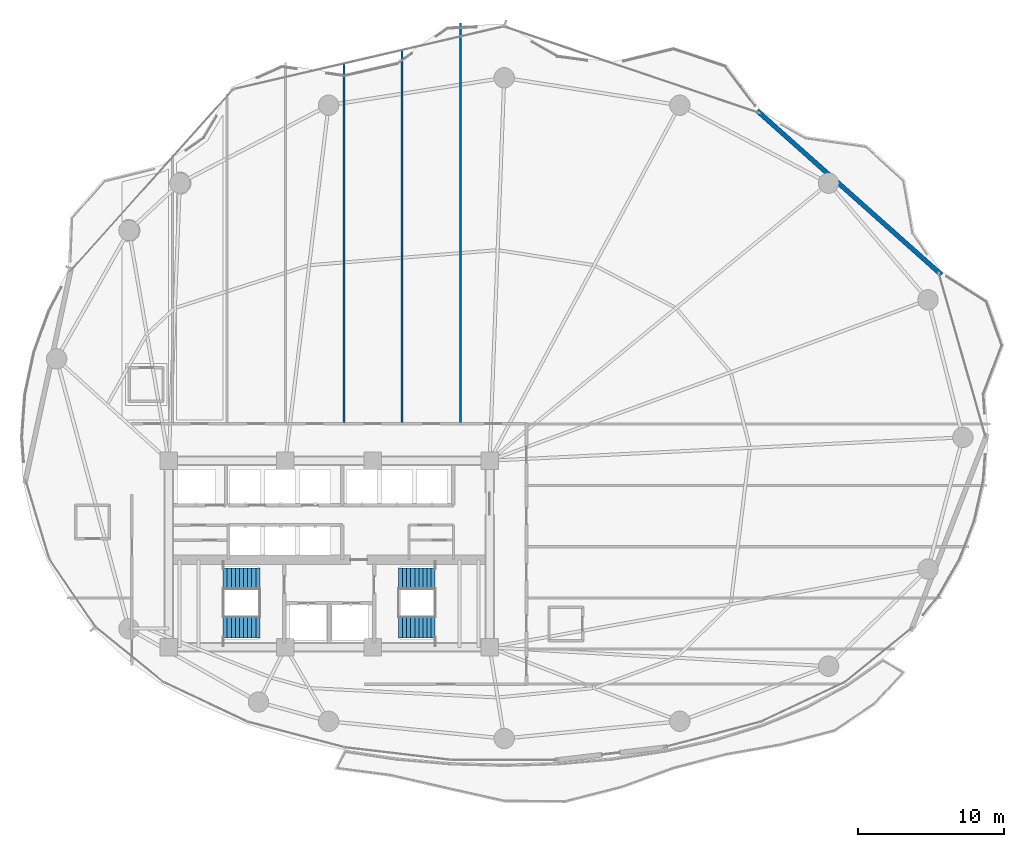
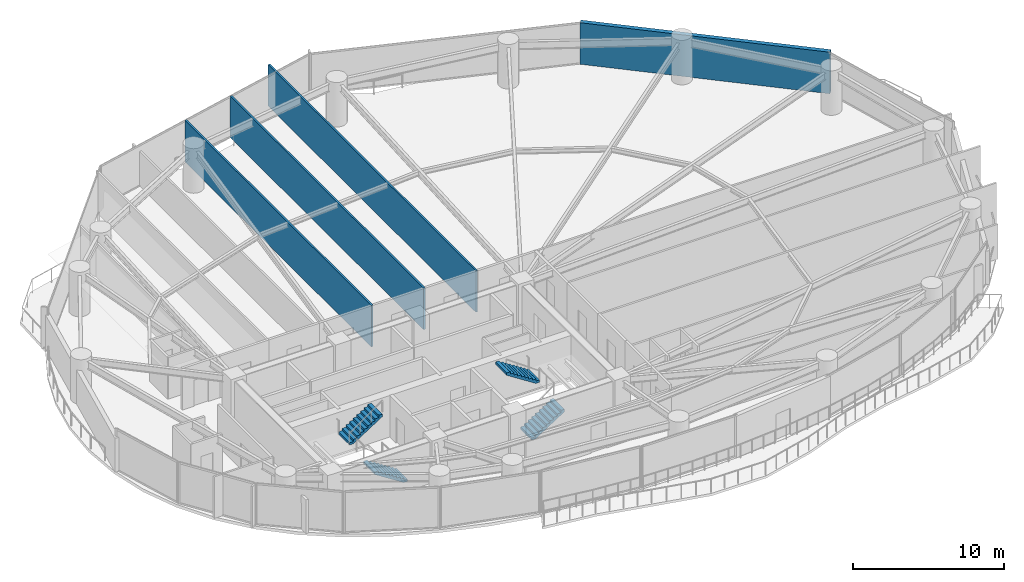
# One storey, part 28 of 32: 4 stair flights, 4 walls, 2 elements without a shape of their own.
"""IFC4 building model written with IfcOpenShell, lengths in metres."""

from ifc_helpers import new_model, si_unit, direction, frame, frame_2d, origin, place, context, subcontext, project, spatial, polyline, rectangle, outline, extrude, material, layer, layer_set, type_object, element, aggregate, save


model = new_model("IFC4")

# Units and contexts
model_context = context("Model", 3, precision=1e-05, world=origin(), true_north=direction((0.0, 1.0)))
body_context = subcontext(model_context, "Body", "Model", "MODEL_VIEW")
ifc_project = project(units=[si_unit("LENGTHUNIT", "METRE"), si_unit("AREAUNIT", "SQUARE_METRE"), si_unit("VOLUMEUNIT", "CUBIC_METRE"), si_unit("PLANEANGLEUNIT", "RADIAN"), si_unit("MASSUNIT", "GRAM", prefix="KILO")], contexts=[model_context])

# Site, building, storey
site_placement = place(None, origin())
site = spatial("IfcSite", under=ifc_project, at=site_placement, CompositionType="ELEMENT")
building_placement = place(site_placement, origin())
building = spatial("IfcBuilding", under=site, at=building_placement, Name="Kazevale Care Tower and Concert Hall", CompositionType="ELEMENT")
storey_placement = place(building_placement, frame((0.0, 0.0, 85.199951171875)))
storey = spatial("IfcBuildingStorey", under=building, at=storey_placement, Name="L22", CompositionType="ELEMENT", Elevation=85.199951171875)

# Walls
ifc_material_1 = material(Name="Acoustic Gypsum on Steel Stud", Category="steel")
ifc_layer_1 = layer(ifc_material_1, 0.139892578125)
ifc_layer_set_1 = layer_set([ifc_layer_1], Name="Acoustic Gypsum on Steel Stud")
wall_type_1 = type_object("IfcWallType", Name="Acoustic Care & Suite Partition 140", PredefinedType="PARTITIONING", material=ifc_layer_set_1)
wall_1_placement = place(storey_placement, frame((34.0, 63.61279296875, 0.0), z_axis=(0.0, 0.0, 1.0), x_axis=(0.0, -1.0, 0.0)))
element("IfcWall", 1, at=wall_1_placement, inside=storey, type_object=wall_type_1, Name="wall:L22:auto_019", PredefinedType="PARTITIONING", context=body_context, shape_type="SweptSolid", body=[
    extrude(rectangle(XDim=24.7177734375, YDim=0.139892578125, at=frame_2d((12.35888671875, 0.0))), origin(), (0.0, 0.0, 1.0), 3.360107421875),
])
wall_2_placement = place(storey_placement, frame((38.0, 64.5419921875, 0.0), z_axis=(0.0, 0.0, 1.0), x_axis=(0.0, -1.0, 0.0)))
element("IfcWall", 2, at=wall_2_placement, inside=storey, type_object=wall_type_1, Name="wall:L22:auto_020", PredefinedType="PARTITIONING", context=body_context, shape_type="SweptSolid", body=[
    extrude(rectangle(XDim=25.64697265625, YDim=0.139892578125, at=frame_2d((12.823486328125, 0.0))), origin(), (0.0, 0.0, 1.0), 3.360107421875),
])
wall_3_placement = place(storey_placement, frame((42.0, 66.4140625, 0.0), z_axis=(0.0, 0.0, 1.0), x_axis=(0.0, -1.0, 0.0)))
element("IfcWall", 3, at=wall_3_placement, inside=storey, type_object=wall_type_1, Name="wall:L22:auto_021", PredefinedType="PARTITIONING", context=body_context, shape_type="SweptSolid", body=[
    extrude(rectangle(XDim=27.51904296875, YDim=0.139892578125, at=frame_2d((13.759521484375, 0.0))), origin(), (0.0, 0.0, 1.0), 3.360107421875),
])
ifc_material_2 = material(Name="Concrete C40 with Honed Limestone Cladding", Category="masonry")
ifc_layer_2 = layer(ifc_material_2, 0.320068359375)
ifc_layer_set_2 = layer_set([ifc_layer_2], Name="Concrete C40 with Honed Limestone Cladding")
wall_type_2 = type_object("IfcWallType", Name="Tower Honed Limestone Spandrel Wall 320", PredefinedType="STANDARD", material=ifc_layer_set_2)
wall_4_placement = place(storey_placement, frame((62.347900390625, 60.387939453125, 0.0), z_axis=(0.0, 0.0, 1.0), x_axis=(0.747075414442, -0.664739291104, 0.0)))
element("IfcWall", 4, at=wall_4_placement, inside=storey, type_object=wall_type_2, Name="wall:cw:L22:f17", PredefinedType="STANDARD", context=body_context, shape_type="SweptSolid", body=[
    extrude(rectangle(XDim=16.907470703125, YDim=0.320068359375, at=frame_2d((8.45361328125, 0.0))), origin(), (0.0, 0.0, 1.0), 3.360107421875),
])

# Stair, stair flights
ifc_material_3 = material(Name="Concrete C40", Category="concrete")
stair_type = type_object("IfcStairType", Name="Exit Stair Assembly ST1-Z1", PredefinedType="HALF_TURN_STAIR", material=ifc_material_3)
stair_1_placement = place(storey_placement, origin())
stair_1 = element("IfcStair", 5, at=stair_1_placement, inside=storey, type_object=stair_type, Name="stair:L22:ST1", PredefinedType="HALF_TURN_STAIR")
ifc_layer_3 = layer(ifc_material_3, 0.159912109375)
ifc_layer_set_3 = layer_set([ifc_layer_3], Name="Concrete C40")
stair_flight_type = type_object("IfcStairFlightType", Name="Exit Stair Flight ST1-Z1", PredefinedType="STRAIGHT", material=ifc_layer_set_3)
stair_flight_1_placement = place(storey_placement, frame((28.25, 24.989990234375, 0.0), z_axis=(0.0, 0.0, 1.0), x_axis=(-1.0, 0.0, 0.0)))
stair_flight_1 = element("IfcStairFlight", 6, at=stair_flight_1_placement, type_object=stair_flight_type, Name="ST1-Z1 flight 1", NumberOfRisers=10, NumberOfTreads=9, PredefinedType="STRAIGHT", RiserHeight=0.18, TreadLength=0.28, context=body_context, shape_type="SweptSolid", body=[
    extrude(outline(polyline([(0.0, 0.0), (0.0, 0.179931640625), (0.280029296875, 0.179931640625), (0.280029296875, 0.360107421875), (0.56005859375, 0.360107421875), (0.56005859375, 0.5400390625), (0.840087890625, 0.5400390625), (0.840087890625, 0.719970703125), (1.1201171875, 0.719970703125), (1.1201171875, 0.89990234375), (1.39990234375, 0.89990234375), (1.39990234375, 1.080078125), (1.679931640625, 1.080078125), (1.679931640625, 1.260009765625), (1.9599609375, 1.260009765625), (1.9599609375, 1.43994140625), (2.239990234375, 1.43994140625), (2.239990234375, 1.6201171875), (2.52001953125, 1.6201171875), (2.52001953125, 1.800048828125), (2.52001953125, 1.429931640625), (0.295654296875, 0.0), (0.0, 0.0)])), frame((0.0, 0.739990234375, 0.0), z_axis=(0.0, -1.0, 0.0), x_axis=(1.0, 0.0, 0.0)), (0.0, 0.0, 1.0), 1.47998046875),
])
stair_flight_2_placement = place(storey_placement, frame((25.72998046875, 28.31005859375, 1.800048828125), z_axis=(0.0, 0.0, 1.0), x_axis=(1.0, 0.0, 0.0)))
stair_flight_2 = element("IfcStairFlight", 7, at=stair_flight_2_placement, type_object=stair_flight_type, Name="ST1-Z1 flight 2", NumberOfRisers=10, NumberOfTreads=9, PredefinedType="STRAIGHT", RiserHeight=0.18, TreadLength=0.28, context=body_context, shape_type="SweptSolid", body=[
    extrude(outline(polyline([(0.0, 0.0), (0.0, 0.179931640625), (0.280029296875, 0.179931640625), (0.280029296875, 0.360107421875), (0.56005859375, 0.360107421875), (0.56005859375, 0.5400390625), (0.840087890625, 0.5400390625), (0.840087890625, 0.719970703125), (1.1201171875, 0.719970703125), (1.1201171875, 0.89990234375), (1.39990234375, 0.89990234375), (1.39990234375, 1.080078125), (1.679931640625, 1.080078125), (1.679931640625, 1.260009765625), (1.9599609375, 1.260009765625), (1.9599609375, 1.43994140625), (2.239990234375, 1.43994140625), (2.239990234375, 1.6201171875), (2.52001953125, 1.6201171875), (2.52001953125, 1.800048828125), (2.52001953125, 1.429931640625), (0.295654296875, 0.0), (0.0, 0.0)])), frame((0.0, 0.739990234375, 0.0), z_axis=(0.0, -1.0, 0.0), x_axis=(1.0, 0.0, 0.0)), (0.0, 0.0, 1.0), 1.47998046875),
])
aggregate(stair_1, [stair_flight_1, stair_flight_2])

stair_2_placement = place(storey_placement, origin())
stair_2 = element("IfcStair", 8, at=stair_2_placement, inside=storey, type_object=stair_type, Name="stair:L22:ST2", PredefinedType="HALF_TURN_STAIR")
stair_flight_3_placement = place(storey_placement, frame((37.75, 24.989990234375, 0.0), z_axis=(0.0, 0.0, 1.0), x_axis=(1.0, 0.0, 0.0)))
stair_flight_3 = element("IfcStairFlight", 9, at=stair_flight_3_placement, type_object=stair_flight_type, Name="ST1-Z1 flight 1", NumberOfRisers=10, NumberOfTreads=9, PredefinedType="STRAIGHT", RiserHeight=0.18, TreadLength=0.28, context=body_context, shape_type="SweptSolid", body=[
    extrude(outline(polyline([(0.0, 0.0), (0.0, 0.179931640625), (0.280029296875, 0.179931640625), (0.280029296875, 0.360107421875), (0.56005859375, 0.360107421875), (0.56005859375, 0.5400390625), (0.840087890625, 0.5400390625), (0.840087890625, 0.719970703125), (1.1201171875, 0.719970703125), (1.1201171875, 0.89990234375), (1.39990234375, 0.89990234375), (1.39990234375, 1.080078125), (1.679931640625, 1.080078125), (1.679931640625, 1.260009765625), (1.9599609375, 1.260009765625), (1.9599609375, 1.43994140625), (2.239990234375, 1.43994140625), (2.239990234375, 1.6201171875), (2.52001953125, 1.6201171875), (2.52001953125, 1.800048828125), (2.52001953125, 1.429931640625), (0.295654296875, 0.0), (0.0, 0.0)])), frame((0.0, 0.739990234375, 0.0), z_axis=(0.0, -1.0, 0.0), x_axis=(1.0, 0.0, 0.0)), (0.0, 0.0, 1.0), 1.47998046875),
])
stair_flight_4_placement = place(storey_placement, frame((40.27001953125, 28.31005859375, 1.800048828125), z_axis=(0.0, 0.0, 1.0), x_axis=(-1.0, 0.0, 0.0)))
stair_flight_4 = element("IfcStairFlight", 10, at=stair_flight_4_placement, type_object=stair_flight_type, Name="ST1-Z1 flight 2", NumberOfRisers=10, NumberOfTreads=9, PredefinedType="STRAIGHT", RiserHeight=0.18, TreadLength=0.28, context=body_context, shape_type="SweptSolid", body=[
    extrude(outline(polyline([(0.0, 0.0), (0.0, 0.179931640625), (0.280029296875, 0.179931640625), (0.280029296875, 0.360107421875), (0.56005859375, 0.360107421875), (0.56005859375, 0.5400390625), (0.840087890625, 0.5400390625), (0.840087890625, 0.719970703125), (1.1201171875, 0.719970703125), (1.1201171875, 0.89990234375), (1.39990234375, 0.89990234375), (1.39990234375, 1.080078125), (1.679931640625, 1.080078125), (1.679931640625, 1.260009765625), (1.9599609375, 1.260009765625), (1.9599609375, 1.43994140625), (2.239990234375, 1.43994140625), (2.239990234375, 1.6201171875), (2.52001953125, 1.6201171875), (2.52001953125, 1.800048828125), (2.52001953125, 1.429931640625), (0.295654296875, 0.0), (0.0, 0.0)])), frame((0.0, 0.739990234375, 0.0), z_axis=(0.0, -1.0, 0.0), x_axis=(1.0, 0.0, 0.0)), (0.0, 0.0, 1.0), 1.47998046875),
])
aggregate(stair_2, [stair_flight_3, stair_flight_4])

save(model, "model.ifc")
